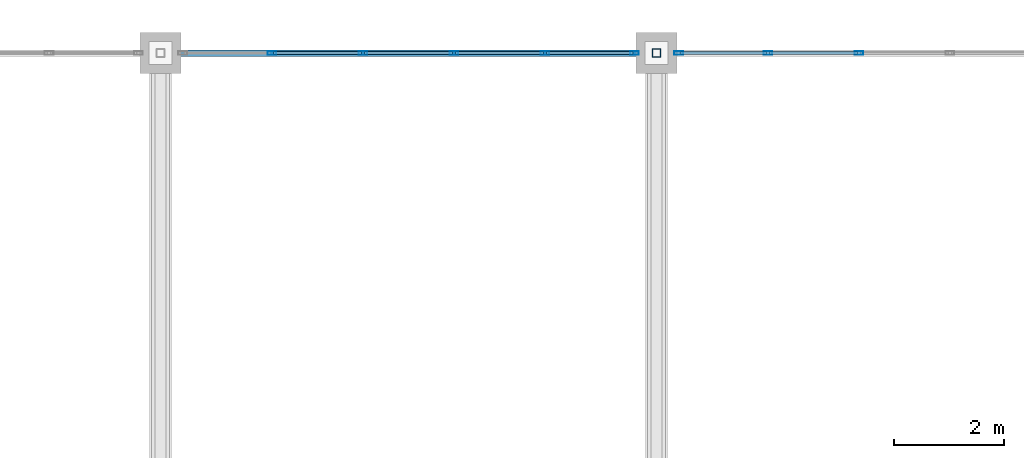
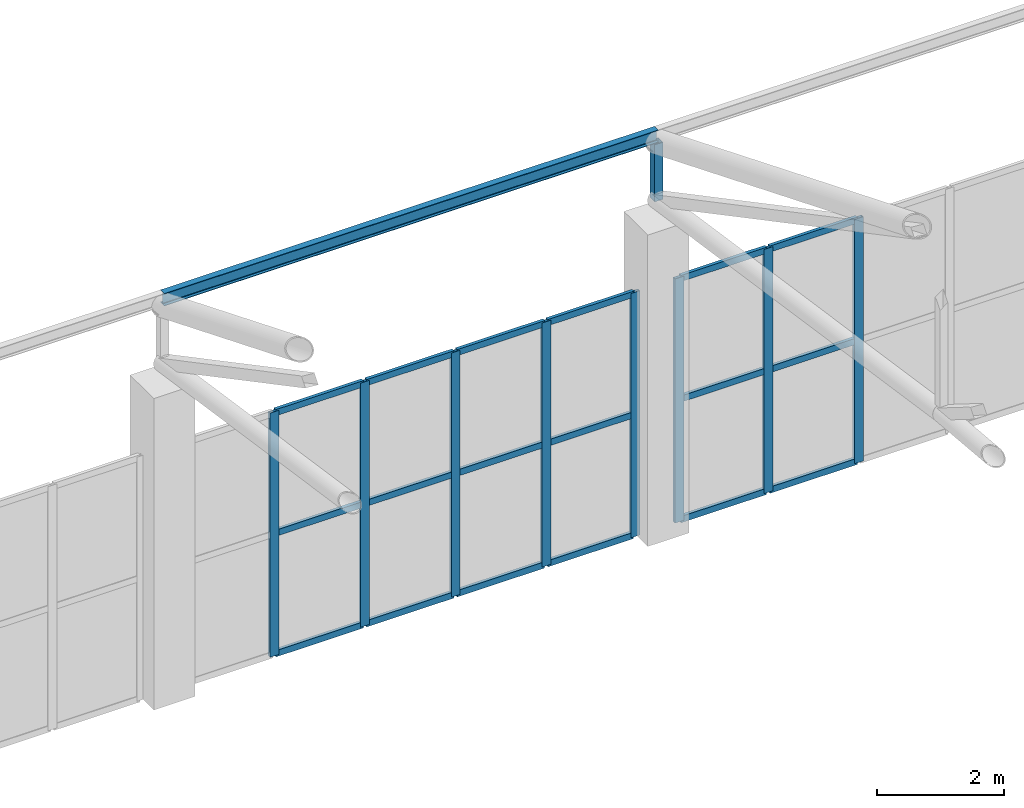
# One storey, part 159 of 223: 28 members, 2 elements without a shape of their own.
"""IFC4 building model written with IfcOpenShell, lengths in metres."""

from ifc_helpers import new_model, si_unit, direction, frame, origin, origin_2d, place, context, subcontext, project, spatial, hollow_rectangle, i_section, extrude, material, layer, layer_set, material_profile, profile_set, type_object, element, aggregate, save


model = new_model("IFC4")

# Units and contexts
model_context = context("Model", 3, precision=1e-05, world=origin(), true_north=direction((0.0, 1.0)))
body_context = subcontext(model_context, "Body", "Model", "MODEL_VIEW")
ifc_project = project(units=[si_unit("LENGTHUNIT", "METRE"), si_unit("AREAUNIT", "SQUARE_METRE"), si_unit("VOLUMEUNIT", "CUBIC_METRE"), si_unit("PLANEANGLEUNIT", "RADIAN"), si_unit("MASSUNIT", "GRAM", prefix="KILO")], contexts=[model_context])

# Site, building, storey
site_placement = place(None, origin())
site = spatial("IfcSite", under=ifc_project, at=site_placement, CompositionType="ELEMENT")
building_placement = place(site_placement, origin())
building = spatial("IfcBuilding", under=site, at=building_placement, Name="Dornveld Trade and Exhibition Forum", CompositionType="ELEMENT")
storey_placement = place(building_placement, frame((0.0, 0.0, 6.0)))
storey = spatial("IfcBuildingStorey", under=building, at=storey_placement, Name="L01", CompositionType="ELEMENT", Elevation=6.0)

# Curtain wall, members
ifc_material_1 = material(Name="Dark-bronze anodised aluminium and low-E glass", Category="aluminium")
ifc_layer_1 = layer(ifc_material_1, 0.18701171875)
ifc_layer_set_1 = layer_set([ifc_layer_1], Name="Dark-bronze anodised aluminium and low-E glass")
curtain_wall_type_1 = type_object("IfcCurtainWallType", Name="CW-SYS-15", PredefinedType="USERDEFINED", material=ifc_layer_set_1)
curtain_wall_1_placement = place(storey_placement, origin())
curtain_wall_1 = element("IfcCurtainWall", 1, at=curtain_wall_1_placement, inside=storey, type_object=curtain_wall_type_1, Name="L01 unitised curtain wall 141", ObjectType="UNITISED_CURTAIN_WALL", PredefinedType="USERDEFINED")
ifc_material_2 = material(Name="Dark-bronze anodised aluminium", Category="aluminium")
ifc_material_profile_1 = material_profile(ifc_material_2, hollow_rectangle(XDim=0.06005859375, YDim=0.159912109375, WallThickness=0.00390625, at=origin_2d()), Name="RHS 160x60x4")
ifc_profile_set_1 = profile_set([ifc_material_profile_1], Name="Dark-bronze anodised aluminium")
member_type_1 = type_object("IfcMemberType", Name="CW-MUL-160", PredefinedType="MULLION", material=ifc_profile_set_1)
member_1_placement = place(storey_placement, frame((134.59912109375, 162.0, -0.00390625), z_axis=(0.0, 0.0, 1.0), x_axis=(0.0, -1.0, 0.0)))
member_1 = element("IfcMember", 2, at=member_1_placement, type_object=member_type_1, Name="CW-15 mullion 1", PredefinedType="MULLION", context=body_context, shape_type="SweptSolid", body=[
    extrude(hollow_rectangle(XDim=0.06005859375, YDim=0.159912109375, WallThickness=0.00390625, at=origin_2d()), origin(), (0.0, 0.0, 1.0), 4.703857421875),
])
member_2_placement = place(storey_placement, frame((132.977294921875, 162.0, -0.00390625), z_axis=(0.0, 0.0, 1.0), x_axis=(0.0, -1.0, 0.0)))
member_2 = element("IfcMember", 3, at=member_2_placement, type_object=member_type_1, Name="CW-15 mullion 2", PredefinedType="MULLION", context=body_context, shape_type="SweptSolid", body=[
    extrude(hollow_rectangle(XDim=0.06005859375, YDim=0.159912109375, WallThickness=0.00390625, at=origin_2d()), origin(), (0.0, 0.0, 1.0), 4.703857421875),
])
member_3_placement = place(storey_placement, frame((131.32568359375, 162.0, -0.00390625), z_axis=(0.0, 0.0, 1.0), x_axis=(0.0, -1.0, 0.0)))
member_3 = element("IfcMember", 4, at=member_3_placement, type_object=member_type_1, Name="CW-15 mullion 3", PredefinedType="MULLION", context=body_context, shape_type="SweptSolid", body=[
    extrude(hollow_rectangle(XDim=0.06005859375, YDim=0.159912109375, WallThickness=0.00390625, at=origin_2d()), origin(), (0.0, 0.0, 1.0), 4.703857421875),
])
member_4_placement = place(storey_placement, frame((129.67431640625, 162.0, -0.00390625), z_axis=(0.0, 0.0, 1.0), x_axis=(0.0, -1.0, 0.0)))
member_4 = element("IfcMember", 5, at=member_4_placement, type_object=member_type_1, Name="CW-15 mullion 4", PredefinedType="MULLION", context=body_context, shape_type="SweptSolid", body=[
    extrude(hollow_rectangle(XDim=0.06005859375, YDim=0.159912109375, WallThickness=0.00390625, at=origin_2d()), origin(), (0.0, 0.0, 1.0), 4.703857421875),
])
member_5_placement = place(storey_placement, frame((128.022705078125, 162.0, -0.00390625), z_axis=(0.0, 0.0, 1.0), x_axis=(0.0, -1.0, 0.0)))
member_5 = element("IfcMember", 6, at=member_5_placement, type_object=member_type_1, Name="CW-15 mullion 5", PredefinedType="MULLION", context=body_context, shape_type="SweptSolid", body=[
    extrude(hollow_rectangle(XDim=0.06005859375, YDim=0.159912109375, WallThickness=0.00390625, at=origin_2d()), origin(), (0.0, 0.0, 1.0), 4.703857421875),
])

ifc_material_3 = material(Name="Dark-bronze anodised aluminium and low-E glass", Category="aluminium")
ifc_layer_2 = layer(ifc_material_3, 0.18994140625)
ifc_layer_set_2 = layer_set([ifc_layer_2], Name="Dark-bronze anodised aluminium and low-E glass")
curtain_wall_type_2 = type_object("IfcCurtainWallType", Name="CW-SYS-16", PredefinedType="USERDEFINED", material=ifc_layer_set_2)
curtain_wall_2_placement = place(storey_placement, origin())
curtain_wall_2 = element("IfcCurtainWall", 7, at=curtain_wall_2_placement, inside=storey, type_object=curtain_wall_type_2, Name="L01 unitised curtain wall 142", ObjectType="UNITISED_CURTAIN_WALL", PredefinedType="USERDEFINED")
member_6_placement = place(storey_placement, frame((138.67431640625, 162.0, -0.00390625), z_axis=(0.0, 0.0, 1.0), x_axis=(0.0, -1.0, 0.0)))
member_6 = element("IfcMember", 8, at=member_6_placement, type_object=member_type_1, Name="CW-16 mullion 4", PredefinedType="MULLION", context=body_context, shape_type="SweptSolid", body=[
    extrude(hollow_rectangle(XDim=0.06005859375, YDim=0.159912109375, WallThickness=0.00390625, at=origin_2d()), origin(), (0.0, 0.0, 1.0), 4.703857421875),
])
member_7_placement = place(storey_placement, frame((137.022705078125, 162.0, -0.00390625), z_axis=(0.0, 0.0, 1.0), x_axis=(0.0, -1.0, 0.0)))
member_7 = element("IfcMember", 9, at=member_7_placement, type_object=member_type_1, Name="CW-16 mullion 5", PredefinedType="MULLION", context=body_context, shape_type="SweptSolid", body=[
    extrude(hollow_rectangle(XDim=0.06005859375, YDim=0.159912109375, WallThickness=0.00390625, at=origin_2d()), origin(), (0.0, 0.0, 1.0), 4.703857421875),
])
member_8_placement = place(storey_placement, frame((135.40087890625, 162.0, -0.00390625), z_axis=(0.0, 0.0, 1.0), x_axis=(0.0, -1.0, 0.0)))
member_8 = element("IfcMember", 10, at=member_8_placement, type_object=member_type_1, Name="CW-16 mullion 6", PredefinedType="MULLION", context=body_context, shape_type="SweptSolid", body=[
    extrude(hollow_rectangle(XDim=0.06005859375, YDim=0.159912109375, WallThickness=0.00390625, at=origin_2d()), origin(), (0.0, 0.0, 1.0), 4.703857421875),
])

# Member
ifc_material_4 = material(Name="Dark-bronze anodised aluminium", Category="aluminium")
ifc_material_profile_2 = material_profile(ifc_material_4, hollow_rectangle(XDim=0.06005859375, YDim=0.1201171875, WallThickness=0.00390625, at=origin_2d()), Name="RHS 120x60x4")
ifc_profile_set_2 = profile_set([ifc_material_profile_2], Name="Dark-bronze anodised aluminium")
member_type_2 = type_object("IfcMemberType", Name="CW-TRN-120", PredefinedType="USERDEFINED", material=ifc_profile_set_2)
member_9_placement = place(storey_placement, frame((134.569091796875, 162.0, 0.02587890625), z_axis=(-1.0, 0.0, 0.0), x_axis=(0.0, -1.0, 0.0)))
member_9 = element("IfcMember", 11, at=member_9_placement, type_object=member_type_2, Name="CW-15 transom 1.1", ObjectType="TRANSOM", PredefinedType="USERDEFINED", context=body_context, shape_type="SweptSolid", body=[
    extrude(hollow_rectangle(XDim=0.06005859375, YDim=0.1201171875, WallThickness=0.00390625, at=origin_2d()), origin(), (0.0, 0.0, 1.0), 1.561767578125),
])

member_10_placement = place(storey_placement, frame((134.569091796875, 162.0, 2.347900390625), z_axis=(-1.0, 0.0, 0.0), x_axis=(0.0, -1.0, 0.0)))
member_10 = element("IfcMember", 12, at=member_10_placement, type_object=member_type_2, Name="CW-15 transom 1.2", ObjectType="TRANSOM", PredefinedType="USERDEFINED", context=body_context, shape_type="SweptSolid", body=[
    extrude(hollow_rectangle(XDim=0.06005859375, YDim=0.1201171875, WallThickness=0.00390625, at=origin_2d()), origin(), (0.0, 0.0, 1.0), 1.561767578125),
])

member_11_placement = place(storey_placement, frame((134.569091796875, 162.0, 4.669921875), z_axis=(-1.0, 0.0, 0.0), x_axis=(0.0, -1.0, 0.0)))
member_11 = element("IfcMember", 13, at=member_11_placement, type_object=member_type_2, Name="CW-15 transom 1.3", ObjectType="TRANSOM", PredefinedType="USERDEFINED", context=body_context, shape_type="SweptSolid", body=[
    extrude(hollow_rectangle(XDim=0.06005859375, YDim=0.1201171875, WallThickness=0.00390625, at=origin_2d()), origin(), (0.0, 0.0, 1.0), 1.561767578125),
])

member_12_placement = place(storey_placement, frame((132.947509765625, 162.0, 0.02587890625), z_axis=(-1.0, 0.0, 0.0), x_axis=(0.0, -1.0, 0.0)))
member_12 = element("IfcMember", 14, at=member_12_placement, type_object=member_type_2, Name="CW-15 transom 2.1", ObjectType="TRANSOM", PredefinedType="USERDEFINED", context=body_context, shape_type="SweptSolid", body=[
    extrude(hollow_rectangle(XDim=0.06005859375, YDim=0.1201171875, WallThickness=0.00390625, at=origin_2d()), origin(), (0.0, 0.0, 1.0), 1.591796875),
])

member_13_placement = place(storey_placement, frame((132.947509765625, 162.0, 2.347900390625), z_axis=(-1.0, 0.0, 0.0), x_axis=(0.0, -1.0, 0.0)))
member_13 = element("IfcMember", 15, at=member_13_placement, type_object=member_type_2, Name="CW-15 transom 2.2", ObjectType="TRANSOM", PredefinedType="USERDEFINED", context=body_context, shape_type="SweptSolid", body=[
    extrude(hollow_rectangle(XDim=0.06005859375, YDim=0.1201171875, WallThickness=0.00390625, at=origin_2d()), origin(), (0.0, 0.0, 1.0), 1.591796875),
])

member_14_placement = place(storey_placement, frame((132.947509765625, 162.0, 4.669921875), z_axis=(-1.0, 0.0, 0.0), x_axis=(0.0, -1.0, 0.0)))
member_14 = element("IfcMember", 16, at=member_14_placement, type_object=member_type_2, Name="CW-15 transom 2.3", ObjectType="TRANSOM", PredefinedType="USERDEFINED", context=body_context, shape_type="SweptSolid", body=[
    extrude(hollow_rectangle(XDim=0.06005859375, YDim=0.1201171875, WallThickness=0.00390625, at=origin_2d()), origin(), (0.0, 0.0, 1.0), 1.591796875),
])

member_15_placement = place(storey_placement, frame((131.2958984375, 162.0, 0.02587890625), z_axis=(-1.0, 0.0, 0.0), x_axis=(0.0, -1.0, 0.0)))
member_15 = element("IfcMember", 17, at=member_15_placement, type_object=member_type_2, Name="CW-15 transom 3.1", ObjectType="TRANSOM", PredefinedType="USERDEFINED", context=body_context, shape_type="SweptSolid", body=[
    extrude(hollow_rectangle(XDim=0.06005859375, YDim=0.1201171875, WallThickness=0.00390625, at=origin_2d()), origin(), (0.0, 0.0, 1.0), 1.591796875),
])

member_16_placement = place(storey_placement, frame((131.2958984375, 162.0, 2.347900390625), z_axis=(-1.0, 0.0, 0.0), x_axis=(0.0, -1.0, 0.0)))
member_16 = element("IfcMember", 18, at=member_16_placement, type_object=member_type_2, Name="CW-15 transom 3.2", ObjectType="TRANSOM", PredefinedType="USERDEFINED", context=body_context, shape_type="SweptSolid", body=[
    extrude(hollow_rectangle(XDim=0.06005859375, YDim=0.1201171875, WallThickness=0.00390625, at=origin_2d()), origin(), (0.0, 0.0, 1.0), 1.591796875),
])

member_17_placement = place(storey_placement, frame((131.2958984375, 162.0, 4.669921875), z_axis=(-1.0, 0.0, 0.0), x_axis=(0.0, -1.0, 0.0)))
member_17 = element("IfcMember", 19, at=member_17_placement, type_object=member_type_2, Name="CW-15 transom 3.3", ObjectType="TRANSOM", PredefinedType="USERDEFINED", context=body_context, shape_type="SweptSolid", body=[
    extrude(hollow_rectangle(XDim=0.06005859375, YDim=0.1201171875, WallThickness=0.00390625, at=origin_2d()), origin(), (0.0, 0.0, 1.0), 1.591796875),
])

member_18_placement = place(storey_placement, frame((129.644287109375, 162.0, 0.02587890625), z_axis=(-1.0, 0.0, 0.0), x_axis=(0.0, -1.0, 0.0)))
member_18 = element("IfcMember", 20, at=member_18_placement, type_object=member_type_2, Name="CW-15 transom 4.1", ObjectType="TRANSOM", PredefinedType="USERDEFINED", context=body_context, shape_type="SweptSolid", body=[
    extrude(hollow_rectangle(XDim=0.06005859375, YDim=0.1201171875, WallThickness=0.00390625, at=origin_2d()), origin(), (0.0, 0.0, 1.0), 1.591796875),
])

member_19_placement = place(storey_placement, frame((129.644287109375, 162.0, 2.347900390625), z_axis=(-1.0, 0.0, 0.0), x_axis=(0.0, -1.0, 0.0)))
member_19 = element("IfcMember", 21, at=member_19_placement, type_object=member_type_2, Name="CW-15 transom 4.2", ObjectType="TRANSOM", PredefinedType="USERDEFINED", context=body_context, shape_type="SweptSolid", body=[
    extrude(hollow_rectangle(XDim=0.06005859375, YDim=0.1201171875, WallThickness=0.00390625, at=origin_2d()), origin(), (0.0, 0.0, 1.0), 1.591796875),
])

member_20_placement = place(storey_placement, frame((129.644287109375, 162.0, 4.669921875), z_axis=(-1.0, 0.0, 0.0), x_axis=(0.0, -1.0, 0.0)))
member_20 = element("IfcMember", 22, at=member_20_placement, type_object=member_type_2, Name="CW-15 transom 4.3", ObjectType="TRANSOM", PredefinedType="USERDEFINED", context=body_context, shape_type="SweptSolid", body=[
    extrude(hollow_rectangle(XDim=0.06005859375, YDim=0.1201171875, WallThickness=0.00390625, at=origin_2d()), origin(), (0.0, 0.0, 1.0), 1.591796875),
])

aggregate(curtain_wall_1, [member_1, member_2, member_3, member_4, member_5, member_9, member_10, member_11, member_12, member_13, member_14, member_15, member_16, member_17, member_18, member_19, member_20])

member_21_placement = place(storey_placement, frame((138.644287109375, 162.0, 0.02587890625), z_axis=(-1.0, 0.0, 0.0), x_axis=(0.0, -1.0, 0.0)))
member_21 = element("IfcMember", 23, at=member_21_placement, type_object=member_type_2, Name="CW-16 transom 4.1", ObjectType="TRANSOM", PredefinedType="USERDEFINED", context=body_context, shape_type="SweptSolid", body=[
    extrude(hollow_rectangle(XDim=0.06005859375, YDim=0.1201171875, WallThickness=0.00390625, at=origin_2d()), origin(), (0.0, 0.0, 1.0), 1.591796875),
])

member_22_placement = place(storey_placement, frame((138.644287109375, 162.0, 2.347900390625), z_axis=(-1.0, 0.0, 0.0), x_axis=(0.0, -1.0, 0.0)))
member_22 = element("IfcMember", 24, at=member_22_placement, type_object=member_type_2, Name="CW-16 transom 4.2", ObjectType="TRANSOM", PredefinedType="USERDEFINED", context=body_context, shape_type="SweptSolid", body=[
    extrude(hollow_rectangle(XDim=0.06005859375, YDim=0.1201171875, WallThickness=0.00390625, at=origin_2d()), origin(), (0.0, 0.0, 1.0), 1.591796875),
])

member_23_placement = place(storey_placement, frame((138.644287109375, 162.0, 4.669921875), z_axis=(-1.0, 0.0, 0.0), x_axis=(0.0, -1.0, 0.0)))
member_23 = element("IfcMember", 25, at=member_23_placement, type_object=member_type_2, Name="CW-16 transom 4.3", ObjectType="TRANSOM", PredefinedType="USERDEFINED", context=body_context, shape_type="SweptSolid", body=[
    extrude(hollow_rectangle(XDim=0.06005859375, YDim=0.1201171875, WallThickness=0.00390625, at=origin_2d()), origin(), (0.0, 0.0, 1.0), 1.591796875),
])

member_24_placement = place(storey_placement, frame((136.99267578125, 162.0, 0.02587890625), z_axis=(-1.0, 0.0, 0.0), x_axis=(0.0, -1.0, 0.0)))
member_24 = element("IfcMember", 26, at=member_24_placement, type_object=member_type_2, Name="CW-16 transom 5.1", ObjectType="TRANSOM", PredefinedType="USERDEFINED", context=body_context, shape_type="SweptSolid", body=[
    extrude(hollow_rectangle(XDim=0.06005859375, YDim=0.1201171875, WallThickness=0.00390625, at=origin_2d()), origin(), (0.0, 0.0, 1.0), 1.561767578125),
])

member_25_placement = place(storey_placement, frame((136.99267578125, 162.0, 2.347900390625), z_axis=(-1.0, 0.0, 0.0), x_axis=(0.0, -1.0, 0.0)))
member_25 = element("IfcMember", 27, at=member_25_placement, type_object=member_type_2, Name="CW-16 transom 5.2", ObjectType="TRANSOM", PredefinedType="USERDEFINED", context=body_context, shape_type="SweptSolid", body=[
    extrude(hollow_rectangle(XDim=0.06005859375, YDim=0.1201171875, WallThickness=0.00390625, at=origin_2d()), origin(), (0.0, 0.0, 1.0), 1.561767578125),
])

member_26_placement = place(storey_placement, frame((136.99267578125, 162.0, 4.669921875), z_axis=(-1.0, 0.0, 0.0), x_axis=(0.0, -1.0, 0.0)))
member_26 = element("IfcMember", 28, at=member_26_placement, type_object=member_type_2, Name="CW-16 transom 5.3", ObjectType="TRANSOM", PredefinedType="USERDEFINED", context=body_context, shape_type="SweptSolid", body=[
    extrude(hollow_rectangle(XDim=0.06005859375, YDim=0.1201171875, WallThickness=0.00390625, at=origin_2d()), origin(), (0.0, 0.0, 1.0), 1.561767578125),
])

aggregate(curtain_wall_2, [member_6, member_7, member_8, member_21, member_22, member_23, member_24, member_25, member_26])

# Members
ifc_material_5 = material(Name="Steel S355J2", Category="steel")
ifc_material_profile_3 = material_profile(ifc_material_5, hollow_rectangle(XDim=0.14990234375, YDim=0.14990234375, WallThickness=0.008056640625, at=origin_2d()), Name="SHS 150x150x8")
ifc_profile_set_3 = profile_set([ifc_material_profile_3], Name="Steel S355J2")
member_type_3 = type_object("IfcMemberType", Name="MEM-ARCH-STR", PredefinedType="STRUT", material=ifc_profile_set_3)
member_27_placement = place(storey_placement, frame((135.0, 162.0, 6.35009765625), z_axis=(0.0, 0.0, 1.0), x_axis=(1.0, 0.0, 0.0)))
element("IfcMember", 29, at=member_27_placement, inside=storey, type_object=member_type_3, Name="H1 truss 5 end strut", PredefinedType="STRUT", context=body_context, shape_type="SweptSolid", body=[
    extrude(hollow_rectangle(XDim=0.14990234375, YDim=0.14990234375, WallThickness=0.008056640625, at=origin_2d()), origin(), (0.0, 0.0, 1.0), 1.099853515625),
])
ifc_material_6 = material(Name="Steel S355J2", Category="steel")
ifc_material_profile_4 = material_profile(ifc_material_6, i_section(OverallWidth=0.1201171875, OverallDepth=0.239990234375, WebThickness=0.006103515625, FlangeThickness=0.009765625, FilletRadius=0.014892578125, at=origin_2d()), Name="IPE 240")
ifc_profile_set_4 = profile_set([ifc_material_profile_4], Name="Steel S355J2")
member_type_4 = type_object("IfcMemberType", Name="MEM-PURLIN-240", PredefinedType="PURLIN", material=ifc_profile_set_4)
member_28_placement = place(storey_placement, frame((126.0, 162.0, 7.58203125), z_axis=(1.0, 0.0, 0.0), x_axis=(0.0, 1.0, 0.0)))
element("IfcMember", 30, at=member_28_placement, inside=storey, type_object=member_type_4, Name="H1 bay 4 roof purlin 7", PredefinedType="PURLIN", context=body_context, shape_type="SweptSolid", body=[
    extrude(i_section(OverallWidth=0.1201171875, OverallDepth=0.239990234375, WebThickness=0.006103515625, FlangeThickness=0.009765625, FilletRadius=0.014892578125, at=origin_2d()), origin(), (0.0, 0.0, 1.0), 9.0),
])

save(model, "model.ifc")
